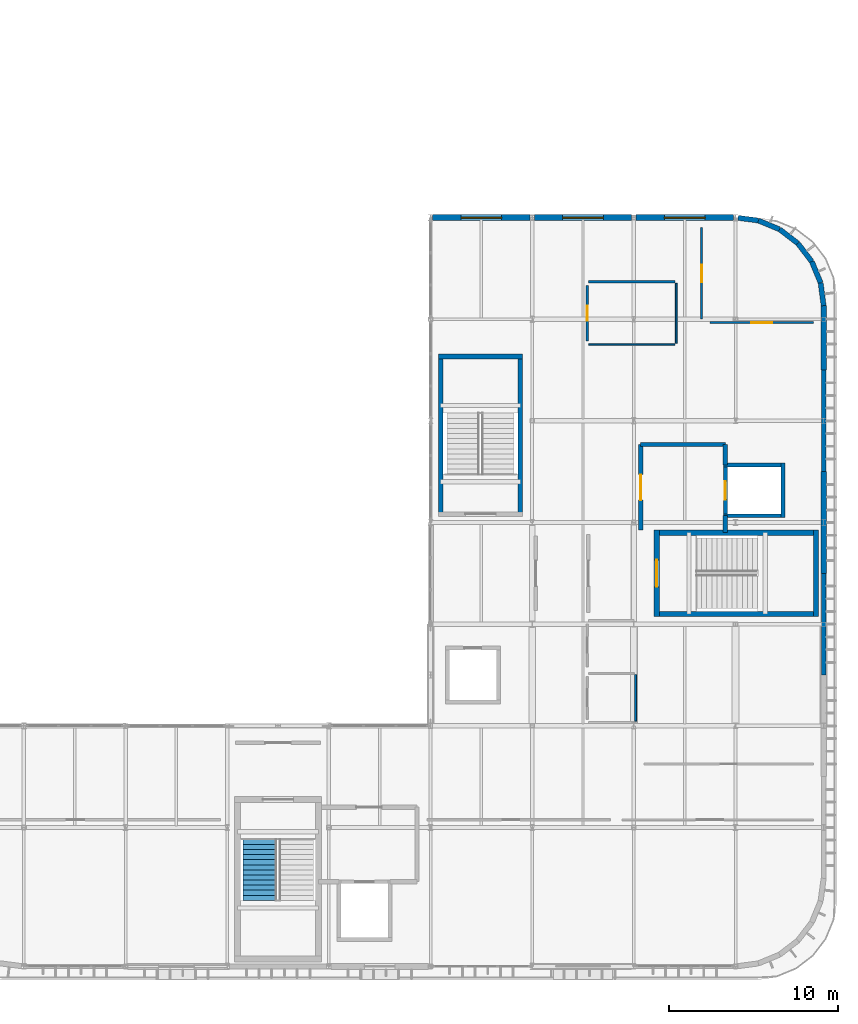
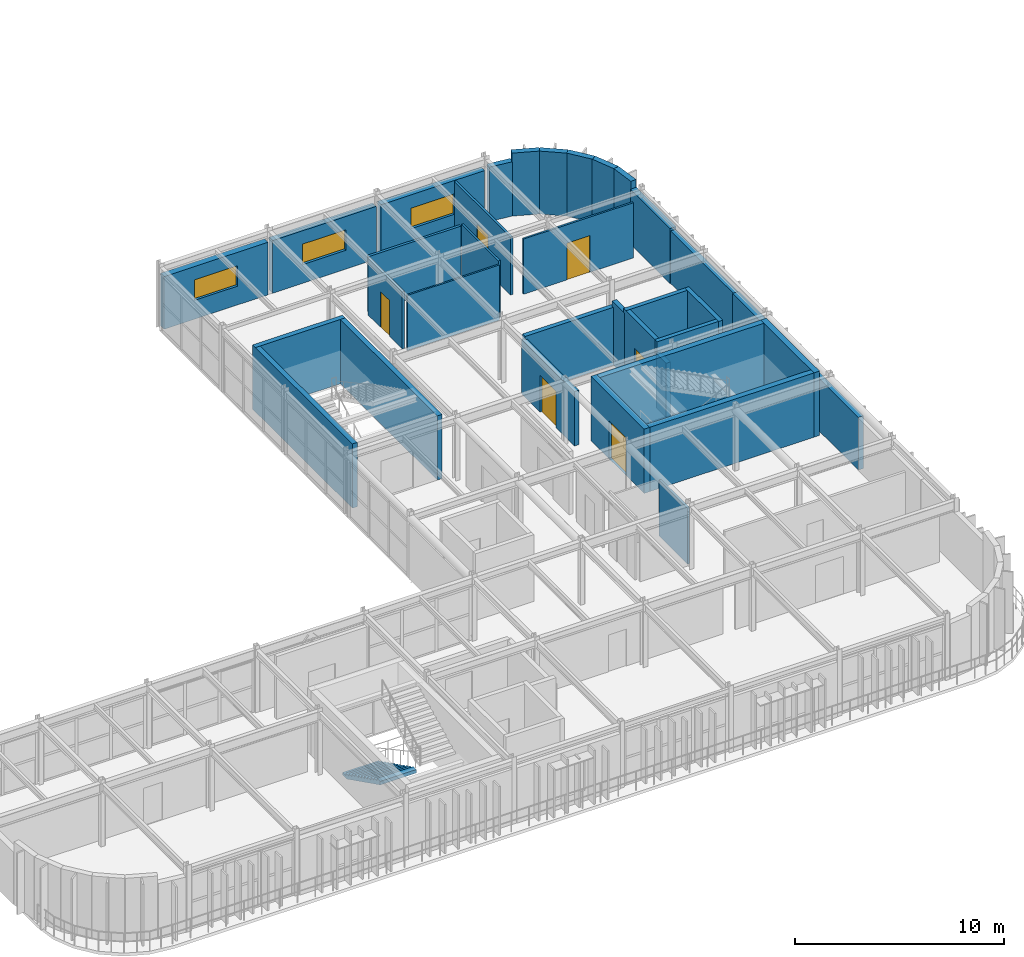
# One storey, part 52 of 63: 35 walls, 6 doors, 3 windows, 1 stair flight, 9 openings, 1 element without a shape of its own.
"""IFC4 building model written with IfcOpenShell, lengths in metres."""

from ifc_helpers import new_model, si_unit, direction, frame, frame_2d, origin, place, context, subcontext, project, spatial, polyline, rectangle, outline, extrude, material, layer, layer_set, type_object, element, fill, aggregate, save


model = new_model("IFC4")

# Units and contexts
model_context = context("Model", 3, precision=1e-05, world=origin(), true_north=direction((0.0, 1.0)))
body_context = subcontext(model_context, "Body", "Model", "MODEL_VIEW")
ifc_project = project(units=[si_unit("LENGTHUNIT", "METRE"), si_unit("AREAUNIT", "SQUARE_METRE"), si_unit("VOLUMEUNIT", "CUBIC_METRE"), si_unit("PLANEANGLEUNIT", "RADIAN"), si_unit("MASSUNIT", "GRAM", prefix="KILO")], contexts=[model_context])

# Site, building, storey
site_placement = place(None, origin())
site = spatial("IfcSite", under=ifc_project, at=site_placement, CompositionType="ELEMENT")
building_placement = place(site_placement, origin())
building = spatial("IfcBuilding", under=site, at=building_placement, Name="Varnakota Square Police Headquarters", CompositionType="ELEMENT")
storey_placement = place(building_placement, frame((0.0, 0.0, 22.199951171875)))
storey = spatial("IfcBuildingStorey", under=building, at=storey_placement, Name="L05", CompositionType="ELEMENT", Elevation=22.199951171875)

# Walls
ifc_material_1 = material(Name="Concrete M40", Category="concrete")
ifc_layer_1 = layer(ifc_material_1, 0.22998046875, Name="Concrete M40")
ifc_layer_set_1 = layer_set([ifc_layer_1], Name="Concrete M40")
wall_type_1 = type_object("IfcWallType", Name="WL-CORE-230", PredefinedType="SHEAR", material=ifc_layer_set_1)
wall_1_placement = place(storey_placement, frame((155.284912109375, 27.39990234375, 0.0), z_axis=(0.0, 0.0, 1.0), x_axis=(1.0, 0.0, 0.0)))
element("IfcWall", 1, at=wall_1_placement, inside=storey, type_object=wall_type_1, Name="Lift shaft wall LF-FF2 L05 S", PredefinedType="SHEAR", context=body_context, shape_type="SweptSolid", body=[
    extrude(rectangle(XDim=3.630126953125, YDim=0.22998046875, at=frame_2d((1.81494140625, 0.0))), origin(), (0.0, 0.0, 1.0), 3.900146484375),
])
wall_2_placement = place(storey_placement, frame((158.800048828125, 27.284912109375, 0.0), z_axis=(0.0, 0.0, 1.0), x_axis=(0.0, 1.0, 0.0)))
element("IfcWall", 2, at=wall_2_placement, inside=storey, type_object=wall_type_1, Name="Lift shaft wall LF-FF2 L05 E", PredefinedType="SHEAR", context=body_context, shape_type="SweptSolid", body=[
    extrude(rectangle(XDim=3.22998046875, YDim=0.22998046875, at=frame_2d((1.614990234375, 0.0))), origin(), (0.0, 0.0, 1.0), 3.900146484375),
])
wall_3_placement = place(storey_placement, frame((158.9150390625, 30.39990234375, 0.0), z_axis=(0.0, 0.0, 1.0), x_axis=(-1.0, 0.0, 0.0)))
element("IfcWall", 3, at=wall_3_placement, inside=storey, type_object=wall_type_1, Name="Lift shaft wall LF-FF2 L05 N", PredefinedType="SHEAR", context=body_context, shape_type="SweptSolid", body=[
    extrude(rectangle(XDim=3.630126953125, YDim=0.22998046875, at=frame_2d((1.81494140625, 0.0))), origin(), (0.0, 0.0, 1.0), 3.900146484375),
])

# Wall, opening, door
wall_4_placement = place(storey_placement, frame((155.39990234375, 30.514892578125, 0.0), z_axis=(0.0, 0.0, 1.0), x_axis=(0.0, -1.0, 0.0)))
wall_4 = element("IfcWall", 4, at=wall_4_placement, inside=storey, type_object=wall_type_1, Name="Lift shaft wall LF-FF2 L05 W", PredefinedType="SHEAR", context=body_context, shape_type="SweptSolid", body=[
    extrude(rectangle(XDim=3.22998046875, YDim=0.22998046875, at=frame_2d((1.614990234375, 0.0))), origin(), (0.0, 0.0, 1.0), 3.900146484375),
])
opening_1_placement = place(wall_4_placement, frame((1.06494140625, 0.0, 0.0)))
opening_1 = element("IfcOpeningElement", 5, at=opening_1_placement, cuts=wall_4, Name="Opening LD014", PredefinedType="OPENING", context=body_context, shape_type="SweptSolid", body=[
    extrude(rectangle(XDim=1.10009765625, YDim=2.199951171875, at=frame_2d((0.550048828125, 1.10009765625))), frame((0.0, 0.125, 0.0), z_axis=(0.0, -1.0, 0.0), x_axis=(1.0, 0.0, 0.0)), (0.0, 0.0, 1.0), 0.25),
])
ifc_material_2 = material(Name="Brushed Grade 316 Stainless Steel", Category="steel")
door_type_1 = type_object("IfcDoorType", Name="DR-LD-FF", OperationType="NOTDEFINED", PredefinedType="DOOR", material=ifc_material_2)
door_1_placement = place(opening_1_placement, origin())
door_1 = element("IfcDoor", 6, at=door_1_placement, inside=storey, type_object=door_type_1, Name="Lift sliding landing door LD014", OperationType="SLIDING_TO_LEFT", OverallHeight=2.199951171875, OverallWidth=1.10009765625, PredefinedType="DOOR", context=body_context, shape_type="SweptSolid", body=[
    extrude(rectangle(XDim=1.10009765625, YDim=2.199951171875, at=frame_2d((0.550048828125, 1.10009765625))), frame((0.0, 0.02490234375, 0.0), z_axis=(0.0, -1.0, 0.0), x_axis=(1.0, 0.0, 0.0)), (0.0, 0.0, 1.0), 0.050048828125),
])
fill(opening_1, door_1)

# Walls
ifc_material_3 = material(Name="Concrete M50", Category="concrete")
ifc_layer_2 = layer(ifc_material_3, 0.27001953125, Name="Concrete M50")
ifc_layer_set_2 = layer_set([ifc_layer_2], Name="Concrete M50")
wall_type_2 = type_object("IfcWallType", Name="WL-CORE-270", PredefinedType="SHEAR", material=ifc_layer_set_2)
wall_5_placement = place(storey_placement, frame((143.300048828125, 27.364990234375, 0.0), z_axis=(0.0, 0.0, 1.0), x_axis=(0.0, 1.0, 0.0)))
element("IfcWall", 7, at=wall_5_placement, inside=storey, type_object=wall_type_2, Name="Core C3 shear wall L05 E", PredefinedType="SHEAR", context=body_context, shape_type="SweptSolid", body=[
    extrude(rectangle(XDim=9.570068359375, YDim=0.27001953125, at=frame_2d((4.78515625, 0.0))), origin(), (0.0, 0.0, 1.0), 3.760009765625),
])
wall_6_placement = place(storey_placement, frame((143.43505859375, 36.800048828125, 0.0), z_axis=(0.0, 0.0, 1.0), x_axis=(-1.0, 0.0, 0.0)))
element("IfcWall", 8, at=wall_6_placement, inside=storey, type_object=wall_type_2, Name="Core C3 shear wall L05 N", PredefinedType="SHEAR", context=body_context, shape_type="SweptSolid", body=[
    extrude(rectangle(XDim=4.969970703125, YDim=0.27001953125, at=frame_2d((2.48486328125, 0.0))), origin(), (0.0, 0.0, 1.0), 3.760009765625),
])
wall_7_placement = place(storey_placement, frame((138.60009765625, 36.93505859375, 0.0), z_axis=(0.0, 0.0, 1.0), x_axis=(0.0, -1.0, 0.0)))
element("IfcWall", 9, at=wall_7_placement, inside=storey, type_object=wall_type_2, Name="Core C3 shear wall L05 W", PredefinedType="SHEAR", context=body_context, shape_type="SweptSolid", body=[
    extrude(rectangle(XDim=9.570068359375, YDim=0.27001953125, at=frame_2d((4.78515625, 0.0))), origin(), (0.0, 0.0, 1.0), 3.760009765625),
])
ifc_layer_3 = layer(ifc_material_3, 0.31005859375, Name="Concrete M50")
ifc_layer_set_3 = layer_set([ifc_layer_3], Name="Concrete M50")
wall_type_3 = type_object("IfcWallType", Name="WL-CORE-310", PredefinedType="SHEAR", material=ifc_layer_set_3)
wall_8_placement = place(storey_placement, frame((151.195068359375, 21.60009765625, 0.0), z_axis=(0.0, 0.0, 1.0), x_axis=(1.0, 0.0, 0.0)))
element("IfcWall", 10, at=wall_8_placement, inside=storey, type_object=wall_type_3, Name="Core C2 shear wall L05 S", PredefinedType="SHEAR", context=body_context, shape_type="SweptSolid", body=[
    extrude(rectangle(XDim=9.7099609375, YDim=0.31005859375, at=frame_2d((4.85498046875, 0.0))), origin(), (0.0, 0.0, 1.0), 3.760009765625),
])
wall_9_placement = place(storey_placement, frame((160.75, 21.445068359375, 0.0), z_axis=(0.0, 0.0, 1.0), x_axis=(0.0, 1.0, 0.0)))
element("IfcWall", 11, at=wall_9_placement, inside=storey, type_object=wall_type_3, Name="Core C2 shear wall L05 E", PredefinedType="SHEAR", context=body_context, shape_type="SweptSolid", body=[
    extrude(rectangle(XDim=5.10986328125, YDim=0.31005859375, at=frame_2d((2.554931640625, 0.0))), origin(), (0.0, 0.0, 1.0), 3.760009765625),
])
wall_10_placement = place(storey_placement, frame((160.905029296875, 26.39990234375, 0.0), z_axis=(0.0, 0.0, 1.0), x_axis=(-1.0, 0.0, 0.0)))
element("IfcWall", 12, at=wall_10_placement, inside=storey, type_object=wall_type_3, Name="Core C2 shear wall L05 N", PredefinedType="SHEAR", context=body_context, shape_type="SweptSolid", body=[
    extrude(rectangle(XDim=9.7099609375, YDim=0.31005859375, at=frame_2d((4.85498046875, 0.0))), origin(), (0.0, 0.0, 1.0), 3.760009765625),
])

# Wall, opening, door
wall_11_placement = place(storey_placement, frame((151.35009765625, 26.554931640625, 0.0), z_axis=(0.0, 0.0, 1.0), x_axis=(0.0, -1.0, 0.0)))
wall_11 = element("IfcWall", 13, at=wall_11_placement, inside=storey, type_object=wall_type_3, Name="Core C2 shear wall L05 W", PredefinedType="SHEAR", context=body_context, shape_type="SweptSolid", body=[
    extrude(rectangle(XDim=5.10986328125, YDim=0.31005859375, at=frame_2d((2.554931640625, 0.0))), origin(), (0.0, 0.0, 1.0), 3.760009765625),
])
opening_2_placement = place(wall_11_placement, frame((1.7548828125, 0.0, 0.0)))
opening_2 = element("IfcOpeningElement", 14, at=opening_2_placement, cuts=wall_11, Name="Opening SD030", PredefinedType="OPENING", context=body_context, shape_type="SweptSolid", body=[
    extrude(rectangle(XDim=1.60009765625, YDim=2.199951171875, at=frame_2d((0.800048828125, 1.10009765625))), frame((0.0, 0.1650390625, 0.0), z_axis=(0.0, -1.0, 0.0), x_axis=(1.0, 0.0, 0.0)), (0.0, 0.0, 1.0), 0.330078125),
])
ifc_material_4 = material(Name="Powder-Coated Galvanised Steel", Category="steel")
door_type_2 = type_object("IfcDoorType", Name="DR-ST-160", OperationType="NOTDEFINED", PredefinedType="DOOR", material=ifc_material_4)
door_2_placement = place(opening_2_placement, origin())
door_2 = element("IfcDoor", 15, at=door_2_placement, inside=storey, type_object=door_type_2, Name="Protected stair door SD030", OperationType="DOUBLE_DOOR_SINGLE_SWING", OverallHeight=2.199951171875, OverallWidth=1.60009765625, PredefinedType="DOOR", context=body_context, shape_type="SweptSolid", body=[
    extrude(rectangle(XDim=1.60009765625, YDim=2.199951171875, at=frame_2d((0.800048828125, 1.10009765625))), frame((0.0, 0.02490234375, 0.0), z_axis=(0.0, -1.0, 0.0), x_axis=(1.0, 0.0, 0.0)), (0.0, 0.0, 1.0), 0.050048828125),
])
fill(opening_2, door_2)

# Walls
ifc_layer_4 = layer(ifc_material_1, 0.280029296875, Name="Concrete M40")
ifc_layer_set_4 = layer_set([ifc_layer_4], Name="Concrete M40")
wall_type_4 = type_object("IfcWallType", Name="WL-EXT-280", PredefinedType="SOLIDWALL", material=ifc_layer_set_4)
for number, where, z_axis, x_axis, name in (
    (16, (161.199951171875, 18.0, 0.0), (0.0, 0.0, 1.0), (0.0, 1.0, 0.0), "Exterior wall EW-L05-0287"),
    (17, (161.199951171875, 30.0, 0.0), (0.0, 0.0, 1.0), (0.0, 1.0, 0.0), "Exterior wall EW-L05-0289"),
):
    element("IfcWall", number, at=place(storey_placement, frame(where, z_axis=z_axis, x_axis=x_axis)), inside=storey, type_object=wall_type_4, Name=name, PredefinedType="SOLIDWALL", context=body_context, shape_type="SweptSolid", body=[
        extrude(rectangle(XDim=6.0, YDim=0.280029296875, at=frame_2d((3.0, 0.0))), origin(), (0.0, 0.0, 1.0), 3.080078125),
    ])
ifc_material_5 = material(Name="Precast concrete M40", Category="concrete")
ifc_layer_5 = layer(ifc_material_5, 0.300048828125, Name="Precast concrete M40")
ifc_layer_set_5 = layer_set([ifc_layer_5], Name="Precast concrete M40")
wall_type_5 = type_object("IfcWallType", Name="WL-EXT-300", PredefinedType="SOLIDWALL", material=ifc_layer_set_5)
wall_12_placement = place(storey_placement, frame((161.199951171875, 39.800048828125, 0.0), z_axis=(0.0, 0.0, 1.0), x_axis=(-0.130561507967, 0.991440211328, 0.0)))
element("IfcWall", 18, at=wall_12_placement, inside=storey, type_object=wall_type_5, Name="Exterior wall EW-L05-0310", PredefinedType="SOLIDWALL", context=body_context, shape_type="SweptSolid", body=[
    extrude(rectangle(XDim=1.357666015625, YDim=0.300048828125, at=frame_2d((0.6787109375, 0.0))), origin(), (0.0, 0.0, 1.0), 3.68505859375),
])
wall_13_placement = place(storey_placement, frame((161.022705078125, 41.14599609375, 0.0), z_axis=(0.0, 0.0, 1.0), x_axis=(-0.382621882407, 0.923905024937, 0.0)))
element("IfcWall", 19, at=wall_13_placement, inside=storey, type_object=wall_type_5, Name="Exterior wall EW-L05-0311", PredefinedType="SOLIDWALL", context=body_context, shape_type="SweptSolid", body=[
    extrude(rectangle(XDim=1.357177734375, YDim=0.300048828125, at=frame_2d((0.6787109375, 0.0))), origin(), (0.0, 0.0, 1.0), 3.68505859375),
])
wall_14_placement = place(storey_placement, frame((160.50341796875, 42.39990234375, 0.0), z_axis=(0.0, 0.0, 1.0), x_axis=(-0.60871087169, 0.793392131727, 0.0)))
element("IfcWall", 20, at=wall_14_placement, inside=storey, type_object=wall_type_5, Name="Exterior wall EW-L05-0312", PredefinedType="SOLIDWALL", context=body_context, shape_type="SweptSolid", body=[
    extrude(rectangle(XDim=1.357666015625, YDim=0.300048828125, at=frame_2d((0.6787109375, 0.0))), origin(), (0.0, 0.0, 1.0), 3.68505859375),
])
for number, where, z_axis, x_axis, name in (
    (21, (159.677001953125, 43.47705078125, 0.0), (0.0, 0.0, 1.0), (-0.793412351971, 0.608684515772, 0.0), "Exterior wall EW-L05-0313"),
    (22, (158.60009765625, 44.30322265625, 0.0), (0.0, 0.0, 1.0), (-0.92386777328, 0.382711820428, 0.0), "Exterior wall EW-L05-0314"),
):
    element("IfcWall", number, at=place(storey_placement, frame(where, z_axis=z_axis, x_axis=x_axis)), inside=storey, type_object=wall_type_5, Name=name, PredefinedType="SOLIDWALL", context=body_context, shape_type="SweptSolid", body=[
        extrude(rectangle(XDim=1.357421875, YDim=0.300048828125, at=frame_2d((0.6787109375, 0.0))), origin(), (0.0, 0.0, 1.0), 3.68505859375),
    ])
wall_15_placement = place(storey_placement, frame((157.345947265625, 44.82275390625, 0.0), z_axis=(0.0, 0.0, 1.0), x_axis=(-0.991450852454, 0.130480677379, 0.0)))
element("IfcWall", 23, at=wall_15_placement, inside=storey, type_object=wall_type_5, Name="Exterior wall EW-L05-0315", PredefinedType="SOLIDWALL", context=body_context, shape_type="SweptSolid", body=[
    extrude(rectangle(XDim=1.206787109375, YDim=0.300048828125, at=frame_2d((0.603515625, 0.0))), origin(), (0.0, 0.0, 1.0), 3.179931640625),
])
ifc_layer_6 = layer(ifc_material_1, 0.340087890625, Name="Concrete M40")
ifc_layer_set_6 = layer_set([ifc_layer_6], Name="Concrete M40")
wall_type_6 = type_object("IfcWallType", Name="WL-EXT-340", PredefinedType="SOLIDWALL", material=ifc_layer_set_6)
wall_16_placement = place(storey_placement, frame((161.199951171875, 24.0, 0.0), z_axis=(0.0, 0.0, 1.0), x_axis=(0.0, 1.0, 0.0)))
element("IfcWall", 24, at=wall_16_placement, inside=storey, type_object=wall_type_6, Name="Exterior wall EW-L05-0288", PredefinedType="SOLIDWALL", context=body_context, shape_type="SweptSolid", body=[
    extrude(rectangle(XDim=6.0, YDim=0.340087890625, at=frame_2d((3.0, 0.0))), origin(), (0.0, 0.0, 1.0), 3.080078125),
])
wall_17_placement = place(storey_placement, frame((161.199951171875, 36.0, 0.0), z_axis=(0.0, 0.0, 1.0), x_axis=(0.0, 1.0, 0.0)))
element("IfcWall", 25, at=wall_17_placement, inside=storey, type_object=wall_type_6, Name="Exterior wall EW-L05-0290", PredefinedType="SOLIDWALL", context=body_context, shape_type="SweptSolid", body=[
    extrude(rectangle(XDim=3.800048828125, YDim=0.340087890625, at=frame_2d((1.89990234375, 0.0))), origin(), (0.0, 0.0, 1.0), 3.22998046875),
])

# Wall, opening, window
wall_18_placement = place(storey_placement, frame((138.12890625, 45.0, 0.0), z_axis=(0.0, 0.0, 1.0), x_axis=(1.0, 0.0, 0.0)))
wall_18 = element("IfcWall", 26, at=wall_18_placement, inside=storey, type_object=wall_type_6, Name="Exterior wall EW-L05-0295", PredefinedType="SOLIDWALL", context=body_context, shape_type="SweptSolid", body=[
    extrude(rectangle(XDim=5.7421875, YDim=0.340087890625, at=frame_2d((2.87109375, 0.0))), origin(), (0.0, 0.0, 1.0), 3.080078125),
])
opening_3_placement = place(wall_18_placement, frame((1.6708984375, 0.0, 1.10009765625)))
opening_3 = element("IfcOpeningElement", 27, at=opening_3_placement, cuts=wall_18, Name="Opening W06", PredefinedType="OPENING", context=body_context, shape_type="SweptSolid", body=[
    extrude(rectangle(XDim=2.39990234375, YDim=1.199951171875, at=frame_2d((1.199951171875, 0.60009765625))), frame((0.0, 0.179931640625, 0.0), z_axis=(0.0, -1.0, 0.0), x_axis=(1.0, 0.0, 0.0)), (0.0, 0.0, 1.0), 0.360107421875),
])
ifc_material_6 = material(Name="Thermally Broken Aluminium Double-Glazed Window", Category="aluminium")
window_type = type_object("IfcWindowType", Name="WIN-06", PartitioningType="SINGLE_PANEL", PredefinedType="WINDOW", material=ifc_material_6)
window_1_placement = place(opening_3_placement, origin())
window_1 = element("IfcWindow", 28, at=window_1_placement, inside=storey, type_object=window_type, Name="Window WN-L05-0051", OverallHeight=1.199951171875, OverallWidth=2.39990234375, PartitioningType="SINGLE_PANEL", PredefinedType="WINDOW", context=body_context, shape_type="SweptSolid", body=[
    extrude(rectangle(XDim=2.39990234375, YDim=1.199951171875, at=frame_2d((1.199951171875, 0.60009765625))), frame((0.0, 0.030029296875, 0.0), z_axis=(0.0, -1.0, 0.0), x_axis=(1.0, 0.0, 0.0)), (0.0, 0.0, 1.0), 0.06005859375),
])
fill(opening_3, window_1)

wall_19_placement = place(storey_placement, frame((144.12890625, 45.0, 0.0), z_axis=(0.0, 0.0, 1.0), x_axis=(1.0, 0.0, 0.0)))
wall_19 = element("IfcWall", 29, at=wall_19_placement, inside=storey, type_object=wall_type_6, Name="Exterior wall EW-L05-0296", PredefinedType="SOLIDWALL", context=body_context, shape_type="SweptSolid", body=[
    extrude(rectangle(XDim=5.7421875, YDim=0.340087890625, at=frame_2d((2.87109375, 0.0))), origin(), (0.0, 0.0, 1.0), 3.080078125),
])
opening_4_placement = place(wall_19_placement, frame((1.6708984375, 0.0, 1.10009765625)))
opening_4 = element("IfcOpeningElement", 30, at=opening_4_placement, cuts=wall_19, Name="Opening W06", PredefinedType="OPENING", context=body_context, shape_type="SweptSolid", body=[
    extrude(rectangle(XDim=2.39990234375, YDim=1.199951171875, at=frame_2d((1.199951171875, 0.60009765625))), frame((0.0, 0.179931640625, 0.0), z_axis=(0.0, -1.0, 0.0), x_axis=(1.0, 0.0, 0.0)), (0.0, 0.0, 1.0), 0.360107421875),
])
window_2_placement = place(opening_4_placement, origin())
window_2 = element("IfcWindow", 31, at=window_2_placement, inside=storey, type_object=window_type, Name="Window WN-L05-0052", OverallHeight=1.199951171875, OverallWidth=2.39990234375, PartitioningType="SINGLE_PANEL", PredefinedType="WINDOW", context=body_context, shape_type="SweptSolid", body=[
    extrude(rectangle(XDim=2.39990234375, YDim=1.199951171875, at=frame_2d((1.199951171875, 0.60009765625))), frame((0.0, 0.030029296875, 0.0), z_axis=(0.0, -1.0, 0.0), x_axis=(1.0, 0.0, 0.0)), (0.0, 0.0, 1.0), 0.06005859375),
])
fill(opening_4, window_2)

wall_20_placement = place(storey_placement, frame((150.12890625, 45.0, 0.0), z_axis=(0.0, 0.0, 1.0), x_axis=(1.0, 0.0, 0.0)))
wall_20 = element("IfcWall", 32, at=wall_20_placement, inside=storey, type_object=wall_type_6, Name="Exterior wall EW-L05-0297", PredefinedType="SOLIDWALL", context=body_context, shape_type="SweptSolid", body=[
    extrude(rectangle(XDim=5.7421875, YDim=0.340087890625, at=frame_2d((2.87109375, 0.0))), origin(), (0.0, 0.0, 1.0), 3.080078125),
])
opening_5_placement = place(wall_20_placement, frame((1.6708984375, 0.0, 1.10009765625)))
opening_5 = element("IfcOpeningElement", 33, at=opening_5_placement, cuts=wall_20, Name="Opening W06", PredefinedType="OPENING", context=body_context, shape_type="SweptSolid", body=[
    extrude(rectangle(XDim=2.39990234375, YDim=1.199951171875, at=frame_2d((1.199951171875, 0.60009765625))), frame((0.0, 0.179931640625, 0.0), z_axis=(0.0, -1.0, 0.0), x_axis=(1.0, 0.0, 0.0)), (0.0, 0.0, 1.0), 0.360107421875),
])
window_3_placement = place(opening_5_placement, origin())
window_3 = element("IfcWindow", 34, at=window_3_placement, inside=storey, type_object=window_type, Name="Window WN-L05-0053", OverallHeight=1.199951171875, OverallWidth=2.39990234375, PartitioningType="SINGLE_PANEL", PredefinedType="WINDOW", context=body_context, shape_type="SweptSolid", body=[
    extrude(rectangle(XDim=2.39990234375, YDim=1.199951171875, at=frame_2d((1.199951171875, 0.60009765625))), frame((0.0, 0.030029296875, 0.0), z_axis=(0.0, -1.0, 0.0), x_axis=(1.0, 0.0, 0.0)), (0.0, 0.0, 1.0), 0.06005859375),
])
fill(opening_5, window_3)

# Wall
ifc_material_7 = material(Name="Lightweight Demountable Office Partition", Category="gypsum")
ifc_layer_7 = layer(ifc_material_7, 0.094970703125, Name="Lightweight Demountable Office Partition")
ifc_layer_set_7 = layer_set([ifc_layer_7], Name="Lightweight Demountable Office Partition")
wall_type_7 = type_object("IfcWallType", Name="WL-PRT-095", PredefinedType="PARTITIONING", material=ifc_layer_set_7)
wall_21_placement = place(storey_placement, frame((152.419921875, 37.5, 0.0), z_axis=(0.0, 0.0, 1.0), x_axis=(-1.0, 0.0, 0.0)))
element("IfcWall", 35, at=wall_21_placement, inside=storey, type_object=wall_type_7, Name="Interior dividing partition PW-L05-0239 (L05 Operations Women Washroom WC)", PredefinedType="PARTITIONING", context=body_context, shape_type="SweptSolid", body=[
    extrude(rectangle(XDim=5.08984375, YDim=0.094970703125, at=frame_2d((2.544921875, 0.0))), origin(), (0.0, 0.0, 1.0), 3.22998046875),
])

# Wall, opening, door
ifc_material_8 = material(Name="Glazed Clean-Lab Modular Partition", Category="gypsum")
ifc_layer_8 = layer(ifc_material_8, 0.10498046875, Name="Glazed Clean-Lab Modular Partition")
ifc_layer_set_8 = layer_set([ifc_layer_8], Name="Glazed Clean-Lab Modular Partition")
wall_type_8 = type_object("IfcWallType", Name="WL-PRT-105", PredefinedType="PARTITIONING", material=ifc_layer_set_8)
wall_22_placement = place(storey_placement, frame((160.60009765625, 38.800048828125, 0.0), z_axis=(0.0, 0.0, 1.0), x_axis=(-1.0, 0.0, 0.0)))
wall_22 = element("IfcWall", 36, at=wall_22_placement, inside=storey, type_object=wall_type_8, Name="Interior partition PW-L05-0232 (Officer Wellness and First-Aid Room)", PredefinedType="PARTITIONING", context=body_context, shape_type="SweptSolid", body=[
    extrude(rectangle(XDim=6.10009765625, YDim=0.10498046875, at=frame_2d((3.050048828125, 0.0))), origin(), (0.0, 0.0, 1.0), 3.22998046875),
])
opening_6_placement = place(wall_22_placement, frame((2.425048828125, 0.0, 0.0)))
opening_6 = element("IfcOpeningElement", 37, at=opening_6_placement, cuts=wall_22, Name="Opening D286", PredefinedType="OPENING", context=body_context, shape_type="SweptSolid", body=[
    extrude(rectangle(XDim=1.25, YDim=2.14990234375, at=frame_2d((0.625, 1.074951171875))), frame((0.0, 0.0625, 0.0), z_axis=(0.0, -1.0, 0.0), x_axis=(1.0, 0.0, 0.0)), (0.0, 0.0, 1.0), 0.125),
])
ifc_material_9 = material(Name="Stainless-Edge Hygienic Phenolic Composite")
door_type_3 = type_object("IfcDoorType", Name="DR-MED-125", OperationType="NOTDEFINED", PredefinedType="DOOR", material=ifc_material_9)
door_3_placement = place(opening_6_placement, origin())
door_3 = element("IfcDoor", 38, at=door_3_placement, inside=storey, type_object=door_type_3, Name="Room door D286 (Officer Wellness and First-Aid Room)", OperationType="SINGLE_SWING_RIGHT", OverallHeight=2.14990234375, OverallWidth=1.25, PredefinedType="DOOR", context=body_context, shape_type="SweptSolid", body=[
    extrude(rectangle(XDim=1.25, YDim=2.14990234375, at=frame_2d((0.625, 1.074951171875))), frame((0.0, 0.02490234375, 0.0), z_axis=(0.0, -1.0, 0.0), x_axis=(1.0, 0.0, 0.0)), (0.0, 0.0, 1.0), 0.050048828125),
])
fill(opening_6, door_3)

# Walls
wall_23_placement = place(storey_placement, frame((152.5, 41.1201171875, 0.0), z_axis=(0.0, 0.0, 1.0), x_axis=(0.0, -1.0, 0.0)))
element("IfcWall", 39, at=wall_23_placement, inside=storey, type_object=wall_type_8, Name="Interior dividing partition PW-L05-0238 (L05 Operations Women Washroom WC)", PredefinedType="PARTITIONING", context=body_context, shape_type="SweptSolid", body=[
    extrude(rectangle(XDim=3.5400390625, YDim=0.10498046875, at=frame_2d((1.77001953125, 0.0))), origin(), (0.0, 0.0, 1.0), 3.380126953125),
])
ifc_material_10 = material(Name="Moisture-Resistant Tile-Backed Partition", Category="gypsum")
ifc_layer_9 = layer(ifc_material_10, 0.114990234375, Name="Moisture-Resistant Tile-Backed Partition")
ifc_layer_set_9 = layer_set([ifc_layer_9], Name="Moisture-Resistant Tile-Backed Partition")
wall_type_9 = type_object("IfcWallType", Name="WL-PRT-115", PredefinedType="PARTITIONING", material=ifc_layer_set_9)
wall_24_placement = place(storey_placement, frame((150.10009765625, 18.02001953125, 0.0), z_axis=(0.0, 0.0, 1.0), x_axis=(0.0, -1.0, 0.0)))
element("IfcWall", 40, at=wall_24_placement, inside=storey, type_object=wall_type_9, Name="Interior dividing partition PW-L05-0234 (L05 Accessible WC East)", PredefinedType="PARTITIONING", context=body_context, shape_type="SweptSolid", body=[
    extrude(rectangle(XDim=2.739990234375, YDim=0.114990234375, at=frame_2d((1.3701171875, 0.0))), origin(), (0.0, 0.0, 1.0), 3.273681640625),
])

# Wall, opening, door
ifc_material_11 = material(Name="Acoustic Insulated Metal-Stud Partition", Category="gypsum")
ifc_layer_10 = layer(ifc_material_11, 0.125, Name="Acoustic Insulated Metal-Stud Partition")
ifc_layer_set_10 = layer_set([ifc_layer_10], Name="Acoustic Insulated Metal-Stud Partition")
wall_type_10 = type_object("IfcWallType", Name="WL-PRT-125", PredefinedType="PARTITIONING", material=ifc_layer_set_10)
wall_25_placement = place(storey_placement, frame((147.25, 37.699951171875, 0.0), z_axis=(0.0, 0.0, 1.0), x_axis=(0.0, 1.0, 0.0)))
wall_25 = element("IfcWall", 41, at=wall_25_placement, inside=storey, type_object=wall_type_10, Name="Interior partition PW-L05-0221 (L05 Operations Women Washroom WC)", PredefinedType="PARTITIONING", context=body_context, shape_type="SweptSolid", body=[
    extrude(rectangle(XDim=3.300048828125, YDim=0.125, at=frame_2d((1.64990234375, 0.0))), origin(), (0.0, 0.0, 1.0), 3.330078125),
])
opening_7_placement = place(wall_25_placement, frame((1.199951171875, 0.0, 0.0)))
opening_7 = element("IfcOpeningElement", 42, at=opening_7_placement, cuts=wall_25, Name="Opening D275", PredefinedType="OPENING", context=body_context, shape_type="SweptSolid", body=[
    extrude(rectangle(XDim=0.89990234375, YDim=2.10009765625, at=frame_2d((0.449951171875, 1.050048828125))), frame((0.0, 0.072509765625, 0.0), z_axis=(0.0, -1.0, 0.0), x_axis=(1.0, 0.0, 0.0)), (0.0, 0.0, 1.0), 0.14501953125),
])
ifc_material_12 = material(Name="High-Pressure Moisture-Resistant Compact Laminate")
door_type_4 = type_object("IfcDoorType", Name="DR-WC-090", OperationType="NOTDEFINED", PredefinedType="DOOR", material=ifc_material_12)
door_4_placement = place(opening_7_placement, origin())
door_4 = element("IfcDoor", 43, at=door_4_placement, inside=storey, type_object=door_type_4, Name="Room door D275 (L05 Operations Women Washroom WC)", OperationType="SINGLE_SWING_RIGHT", OverallHeight=2.10009765625, OverallWidth=0.89990234375, PredefinedType="DOOR", context=body_context, shape_type="SweptSolid", body=[
    extrude(rectangle(XDim=0.89990234375, YDim=2.10009765625, at=frame_2d((0.449951171875, 1.050048828125))), frame((0.0, 0.02490234375, 0.0), z_axis=(0.0, -1.0, 0.0), x_axis=(1.0, 0.0, 0.0)), (0.0, 0.0, 1.0), 0.050048828125),
])
fill(opening_7, door_4)

wall_26_placement = place(storey_placement, frame((154.0, 44.39990234375, 0.0), z_axis=(0.0, 0.0, 1.0), x_axis=(0.0, -1.0, 0.0)))
wall_26 = element("IfcWall", 44, at=wall_26_placement, inside=storey, type_object=wall_type_10, Name="Interior partition PW-L05-0231 (Classified Case Evidence Store)", PredefinedType="PARTITIONING", context=body_context, shape_type="SweptSolid", body=[
    extrude(rectangle(XDim=5.39990234375, YDim=0.125, at=frame_2d((2.699951171875, 0.0))), origin(), (0.0, 0.0, 1.0), 3.380126953125),
])
opening_8_placement = place(wall_26_placement, frame((2.175048828125, 0.0, 0.0)))
opening_8 = element("IfcOpeningElement", 45, at=opening_8_placement, cuts=wall_26, Name="Opening D285", PredefinedType="OPENING", context=body_context, shape_type="SweptSolid", body=[
    extrude(rectangle(XDim=1.050048828125, YDim=2.199951171875, at=frame_2d((0.52490234375, 1.10009765625))), frame((0.0, 0.072509765625, 0.0), z_axis=(0.0, -1.0, 0.0), x_axis=(1.0, 0.0, 0.0)), (0.0, 0.0, 1.0), 0.14501953125),
])
ifc_material_13 = material(Name="Anodised Aluminium and Laminated Acoustic Glass", Category="aluminium")
door_type_5 = type_object("IfcDoorType", Name="DR-OFF-105", OperationType="NOTDEFINED", PredefinedType="DOOR", material=ifc_material_13)
door_5_placement = place(opening_8_placement, origin())
door_5 = element("IfcDoor", 46, at=door_5_placement, inside=storey, type_object=door_type_5, Name="Room door D285 (Classified Case Evidence Store)", OperationType="SINGLE_SWING_LEFT", OverallHeight=2.199951171875, OverallWidth=1.050048828125, PredefinedType="DOOR", context=body_context, shape_type="SweptSolid", body=[
    extrude(rectangle(XDim=1.050048828125, YDim=2.199951171875, at=frame_2d((0.52490234375, 1.10009765625))), frame((0.0, 0.02490234375, 0.0), z_axis=(0.0, -1.0, 0.0), x_axis=(1.0, 0.0, 0.0)), (0.0, 0.0, 1.0), 0.050048828125),
])
fill(opening_8, door_5)

# Wall
ifc_layer_11 = layer(ifc_material_11, 0.139892578125, Name="Acoustic Insulated Metal-Stud Partition")
ifc_layer_set_11 = layer_set([ifc_layer_11], Name="Acoustic Insulated Metal-Stud Partition")
wall_type_11 = type_object("IfcWallType", Name="WL-PRT-140", PredefinedType="PARTITIONING", material=ifc_layer_set_11)
wall_27_placement = place(storey_placement, frame((147.330078125, 41.199951171875, 0.0), z_axis=(0.0, 0.0, 1.0), x_axis=(1.0, 0.0, 0.0)))
element("IfcWall", 47, at=wall_27_placement, inside=storey, type_object=wall_type_11, Name="Interior dividing partition PW-L05-0240 (L05 Operations Women Washroom WC)", PredefinedType="PARTITIONING", context=body_context, shape_type="SweptSolid", body=[
    extrude(rectangle(XDim=5.08984375, YDim=0.139892578125, at=frame_2d((2.544921875, 0.0))), origin(), (0.0, 0.0, 1.0), 3.280029296875),
])

# Wall, opening, door
ifc_layer_12 = layer(ifc_material_1, 0.25, Name="Concrete M40")
ifc_layer_set_12 = layer_set([ifc_layer_12], Name="Concrete M40")
wall_type_12 = type_object("IfcWallType", Name="WL-PRT-250F", PredefinedType="PARTITIONING", material=ifc_layer_set_12)
wall_28_placement = place(storey_placement, frame((150.39990234375, 26.550048828125, 0.0), z_axis=(0.0, 0.0, 1.0), x_axis=(0.0, 1.0, 0.0)))
wall_28 = element("IfcWall", 48, at=wall_28_placement, inside=storey, type_object=wall_type_12, Name="Firefighting lobby enclosure C2 L05", PredefinedType="PARTITIONING", context=body_context, shape_type="SweptSolid", body=[
    extrude(rectangle(XDim=5.050048828125, YDim=0.25, at=frame_2d((2.52490234375, 0.0))), origin(), (0.0, 0.0, 1.0), 3.179931640625),
])
opening_9_placement = place(wall_28_placement, frame((1.77490234375, 0.0, 0.0)))
opening_9 = element("IfcOpeningElement", 49, at=opening_9_placement, cuts=wall_28, Name="Opening FD044", PredefinedType="OPENING", context=body_context, shape_type="SweptSolid", body=[
    extrude(rectangle(XDim=1.5, YDim=2.14990234375, at=frame_2d((0.75, 1.074951171875))), frame((0.0, 0.135009765625, 0.0), z_axis=(0.0, -1.0, 0.0), x_axis=(1.0, 0.0, 0.0)), (0.0, 0.0, 1.0), 0.27001953125),
])
ifc_material_14 = material(Name="Smoke-Sealed Galvanised Acoustic Steel", Category="steel")
door_type_6 = type_object("IfcDoorType", Name="DR-FFL-150", OperationType="NOTDEFINED", PredefinedType="DOOR", material=ifc_material_14)
door_6_placement = place(opening_9_placement, origin())
door_6 = element("IfcDoor", 50, at=door_6_placement, inside=storey, type_object=door_type_6, Name="Firefighting lobby fire door FD044", OperationType="DOUBLE_DOOR_SINGLE_SWING", OverallHeight=2.14990234375, OverallWidth=1.5, PredefinedType="DOOR", context=body_context, shape_type="SweptSolid", body=[
    extrude(rectangle(XDim=1.5, YDim=2.14990234375, at=frame_2d((0.75, 1.074951171875))), frame((0.0, 0.02490234375, 0.0), z_axis=(0.0, -1.0, 0.0), x_axis=(1.0, 0.0, 0.0)), (0.0, 0.0, 1.0), 0.050048828125),
])
fill(opening_9, door_6)

# Walls
wall_29_placement = place(storey_placement, frame((150.39990234375, 31.60009765625, 0.0), z_axis=(0.0, 0.0, 1.0), x_axis=(1.0, 0.0, 0.0)))
element("IfcWall", 51, at=wall_29_placement, inside=storey, type_object=wall_type_12, Name="Firefighting lobby return wall C2 L05 N", PredefinedType="PARTITIONING", context=body_context, shape_type="SweptSolid", body=[
    extrude(rectangle(XDim=5.0, YDim=0.25, at=frame_2d((2.5, 0.0))), origin(), (0.0, 0.0, 1.0), 3.380126953125),
])
wall_30_placement = place(storey_placement, frame((155.39990234375, 30.39990234375, 0.0), z_axis=(0.0, 0.0, 1.0), x_axis=(0.0, 1.0, 0.0)))
element("IfcWall", 52, at=wall_30_placement, inside=storey, type_object=wall_type_12, Name="Firefighting lobby return wall C2 L05 EN", PredefinedType="PARTITIONING", context=body_context, shape_type="SweptSolid", body=[
    extrude(rectangle(XDim=1.2001953125, YDim=0.25, at=frame_2d((0.60009765625, 0.0))), origin(), (0.0, 0.0, 1.0), 3.679931640625),
])
wall_31_placement = place(storey_placement, frame((155.39990234375, 26.39990234375, 0.0), z_axis=(0.0, 0.0, 1.0), x_axis=(0.0, 1.0, 0.0)))
element("IfcWall", 53, at=wall_31_placement, inside=storey, type_object=wall_type_12, Name="Firefighting lobby return wall C2 L05 ES", PredefinedType="PARTITIONING", context=body_context, shape_type="SweptSolid", body=[
    extrude(rectangle(XDim=1.0, YDim=0.25, at=frame_2d((0.5, 0.0))), origin(), (0.0, 0.0, 1.0), 3.179931640625),
])

# Stair, stair flight
stair_type = type_object("IfcStairType", Name="STR-DOG-2000", PredefinedType="USERDEFINED", material=ifc_material_1)
stair_placement = place(storey_placement, origin())
stair = element("IfcStair", 54, at=stair_placement, inside=storey, type_object=stair_type, Name="Protected exit stair ST1 (L05)", ObjectType="TWO_RETURN_STAIR", PredefinedType="USERDEFINED")
stair_flight_type = type_object("IfcStairFlightType", Name="SFL-DOG-2000", PredefinedType="STRAIGHT", material=ifc_material_1)
stair_flight_placement = place(storey_placement, frame((127.919921875, 8.300048828125, 0.0), z_axis=(0.0, 0.0, 1.0), x_axis=(0.0, -1.0, 0.0)))
stair_flight = element("IfcStairFlight", 55, at=stair_flight_placement, type_object=stair_flight_type, Name="ST1-L05 flight 1", NumberOfRisers=13, NumberOfTreads=12, PredefinedType="STRAIGHT", RiserHeight=0.15, TreadLength=0.3, context=body_context, shape_type="SweptSolid", body=[
    extrude(outline(polyline([(0.0, 0.0), (0.0, 0.14990234375), (0.300048828125, 0.14990234375), (0.300048828125, 0.300048828125), (0.60009765625, 0.300048828125), (0.60009765625, 0.449951171875), (0.900146484375, 0.449951171875), (0.900146484375, 0.60009765625), (1.2001953125, 0.60009765625), (1.2001953125, 0.75), (1.500244140625, 0.75), (1.500244140625, 0.89990234375), (1.80029296875, 0.89990234375), (1.80029296875, 1.050048828125), (2.100341796875, 1.050048828125), (2.100341796875, 1.199951171875), (2.400390625, 1.199951171875), (2.400390625, 1.35009765625), (2.700439453125, 1.35009765625), (2.700439453125, 1.5), (3.00048828125, 1.5), (3.00048828125, 1.64990234375), (3.300537109375, 1.64990234375), (3.300537109375, 1.800048828125), (3.6005859375, 1.800048828125), (3.6005859375, 1.949951171875), (3.6005859375, 1.598876953125), (0.40234375, 0.0), (0.0, 0.0)])), frame((0.0, 1.0, 0.0), z_axis=(0.0, -1.0, 0.0), x_axis=(1.0, 0.0, 0.0)), (0.0, 0.0, 1.0), 2.0),
])
aggregate(stair, [stair_flight])

save(model, "model.ifc")
